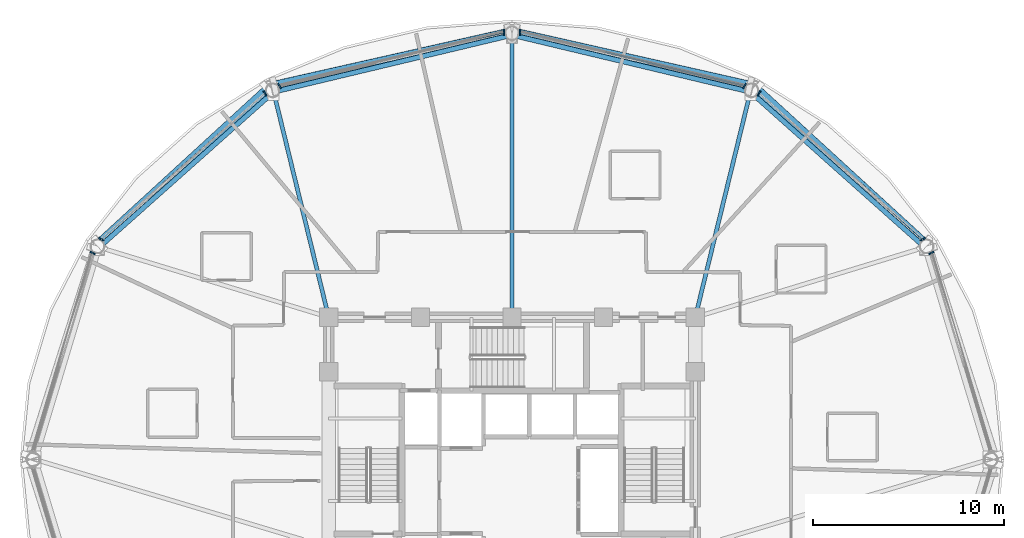
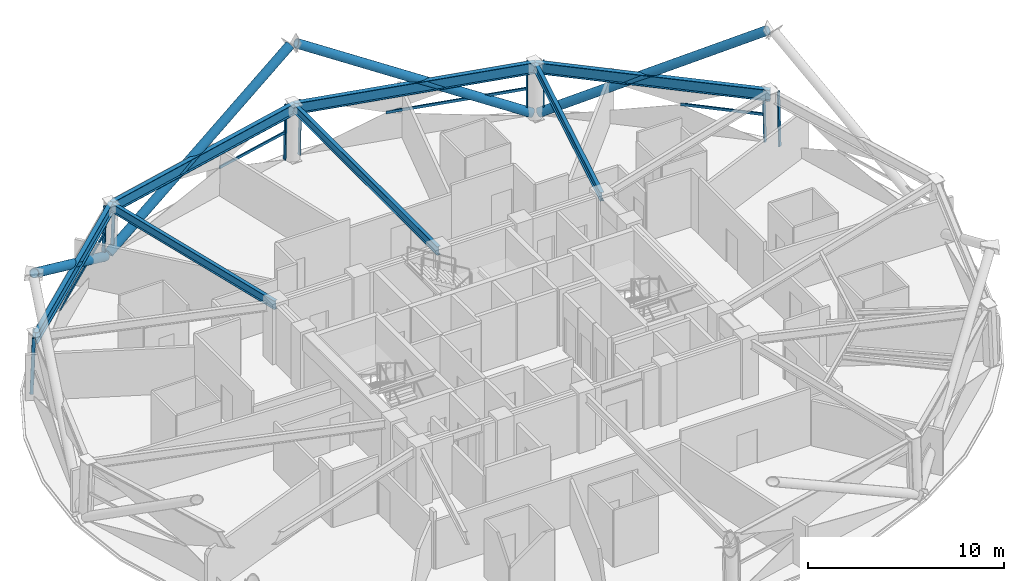
# One storey, part 5 of 15: 18 members, 7 beams, 6 elements without a shape of their own.
"""IFC4 building model written with IfcOpenShell, lengths in metres."""

from ifc_helpers import new_model, si_unit, direction, frame, origin, origin_2d, place, context, subcontext, project, spatial, hollow_rectangle, hollow_circle, i_section, extrude, material, layer, layer_set, material_profile, profile_set, type_object, element, aggregate, save


model = new_model("IFC4")

# Units and contexts
model_context = context("Model", 3, precision=1e-05, world=origin(), true_north=direction((0.0, 1.0)))
body_context = subcontext(model_context, "Body", "Model", "MODEL_VIEW")
ifc_project = project(units=[si_unit("LENGTHUNIT", "METRE"), si_unit("AREAUNIT", "SQUARE_METRE"), si_unit("VOLUMEUNIT", "CUBIC_METRE"), si_unit("PLANEANGLEUNIT", "RADIAN"), si_unit("MASSUNIT", "GRAM", prefix="KILO")], contexts=[model_context])

# Site, building, storey
site_placement = place(None, origin())
site = spatial("IfcSite", under=ifc_project, at=site_placement, CompositionType="ELEMENT")
building_placement = place(site_placement, origin())
building = spatial("IfcBuilding", under=site, at=building_placement, Name="Vantalir Tower", CompositionType="ELEMENT")
storey_placement = place(building_placement, frame((0.0, 0.0, 134.699951171875)))
storey = spatial("IfcBuildingStorey", under=building, at=storey_placement, Name="L33", CompositionType="ELEMENT", Elevation=134.699951171875)

# Beams
ifc_material_1 = material(Name="Steel S355", Category="steel")
ifc_material_profile_1 = material_profile(ifc_material_1, i_section(OverallWidth=0.2109375, OverallDepth=0.5390625, WebThickness=0.01171875, FlangeThickness=0.018798828125, at=origin_2d()), Name="Steel S355")
ifc_profile_set_1 = profile_set([ifc_material_profile_1], Name="Steel S355")
beam_type_1 = type_object("IfcBeamType", Name="BM-RB-533x210", PredefinedType="BEAM", material=ifc_profile_set_1)
beam_1_placement = place(storey_placement, frame((43.985107421875, 44.256103515625, 3.301025390625), z_axis=(-0.237380216886, -0.971416817144, 0.0), x_axis=(0.971416817144, -0.237380216886, 0.0)))
element("IfcBeam", 1, at=beam_1_placement, inside=storey, type_object=beam_type_1, Name="L33 Radial Floor Beam 03", PredefinedType="BEAM", context=body_context, shape_type="SweptSolid", body=[
    extrude(i_section(OverallWidth=0.2109375, OverallDepth=0.5390625, WebThickness=0.01171875, FlangeThickness=0.018798828125, at=origin_2d()), origin(), (0.0, 0.0, 1.0), 12.153564453125),
])
beam_2_placement = place(storey_placement, frame((31.5, 47.235107421875, 3.301025390625), z_axis=(0.0, -1.0, 0.0), x_axis=(1.0, 0.0, 0.0)))
element("IfcBeam", 2, at=beam_2_placement, inside=storey, type_object=beam_type_1, Name="L33 Radial Floor Beam 04", PredefinedType="BEAM", context=body_context, shape_type="SweptSolid", body=[
    extrude(i_section(OverallWidth=0.2109375, OverallDepth=0.5390625, WebThickness=0.01171875, FlangeThickness=0.018798828125, at=origin_2d()), origin(), (0.0, 0.0, 1.0), 14.78515625),
])
beam_3_placement = place(storey_placement, frame((19.01611328125, 44.256103515625, 3.301025390625), z_axis=(0.237285433099, -0.971439974079, 0.0), x_axis=(0.971439974079, 0.237285433099, 0.0)))
element("IfcBeam", 3, at=beam_3_placement, inside=storey, type_object=beam_type_1, Name="L33 Radial Floor Beam 05", PredefinedType="BEAM", context=body_context, shape_type="SweptSolid", body=[
    extrude(i_section(OverallWidth=0.2109375, OverallDepth=0.5390625, WebThickness=0.01171875, FlangeThickness=0.018798828125, at=origin_2d()), origin(), (0.0, 0.0, 1.0), 12.1533203125),
])
ifc_material_2 = material(Name="Steel S460", Category="steel")
ifc_material_profile_2 = material_profile(ifc_material_2, i_section(OverallWidth=0.256103515625, OverallDepth=0.693115234375, WebThickness=0.014404296875, FlangeThickness=0.023681640625, at=origin_2d()), Name="Steel S460")
ifc_profile_set_2 = profile_set([ifc_material_profile_2], Name="Steel S460")
beam_type_2 = type_object("IfcBeamType", Name="BM-RG-686x254", PredefinedType="USERDEFINED", material=ifc_profile_set_2)
beam_4_placement = place(storey_placement, frame((53.1240234375, 36.116943359375, 3.22412109375), z_axis=(-0.746772790642, 0.665079242765, 0.0), x_axis=(-0.665079242765, -0.746772790642, 0.0)))
element("IfcBeam", 4, at=beam_4_placement, inside=storey, type_object=beam_type_2, Name="L33 Circumferential Ring Girder 02", ObjectType="GIRDER", PredefinedType="USERDEFINED", context=body_context, shape_type="SweptSolid", body=[
    extrude(i_section(OverallWidth=0.256103515625, OverallDepth=0.693115234375, WebThickness=0.014404296875, FlangeThickness=0.023681640625, at=origin_2d()), origin(), (0.0, 0.0, 1.0), 12.23779296875),
])
beam_5_placement = place(storey_placement, frame((43.985107421875, 44.256103515625, 3.22412109375), z_axis=(-0.972694467918, 0.232089362278, 0.0), x_axis=(-0.232089362278, -0.972694467918, 0.0)))
element("IfcBeam", 5, at=beam_5_placement, inside=storey, type_object=beam_type_2, Name="L33 Circumferential Ring Girder 03", ObjectType="GIRDER", PredefinedType="USERDEFINED", context=body_context, shape_type="SweptSolid", body=[
    extrude(i_section(OverallWidth=0.256103515625, OverallDepth=0.693115234375, WebThickness=0.014404296875, FlangeThickness=0.023681640625, at=origin_2d()), origin(), (0.0, 0.0, 1.0), 12.835693359375),
])
beam_6_placement = place(storey_placement, frame((31.5, 47.235107421875, 3.22412109375), z_axis=(-0.972689344439, -0.232110833904, 0.0), x_axis=(0.232110833904, -0.972689344439, 0.0)))
element("IfcBeam", 6, at=beam_6_placement, inside=storey, type_object=beam_type_2, Name="L33 Circumferential Ring Girder 04", ObjectType="GIRDER", PredefinedType="USERDEFINED", context=body_context, shape_type="SweptSolid", body=[
    extrude(i_section(OverallWidth=0.256103515625, OverallDepth=0.693115234375, WebThickness=0.014404296875, FlangeThickness=0.023681640625, at=origin_2d()), origin(), (0.0, 0.0, 1.0), 12.83447265625),
])
beam_7_placement = place(storey_placement, frame((19.01611328125, 44.256103515625, 3.22412109375), z_axis=(-0.746816907251, -0.665029703882, 0.0), x_axis=(0.665029703882, -0.746816907251, 0.0)))
element("IfcBeam", 7, at=beam_7_placement, inside=storey, type_object=beam_type_2, Name="L33 Circumferential Ring Girder 05", ObjectType="GIRDER", PredefinedType="USERDEFINED", context=body_context, shape_type="SweptSolid", body=[
    extrude(i_section(OverallWidth=0.256103515625, OverallDepth=0.693115234375, WebThickness=0.014404296875, FlangeThickness=0.023681640625, at=origin_2d()), origin(), (0.0, 0.0, 1.0), 12.23876953125),
])

# Curtain wall, member
ifc_material_3 = material(Name="Champagne-silver PVDF aluminium and double-silver Low-E glass", Category="aluminium")
ifc_layer = layer(ifc_material_3, 0.199951171875)
ifc_layer_set = layer_set([ifc_layer], Name="Champagne-silver PVDF aluminium and double-silver Low-E glass")
curtain_wall_type = type_object("IfcCurtainWallType", Name="CW-DIAMOND-Z2", PredefinedType="USERDEFINED", material=ifc_layer_set)
curtain_wall_1_placement = place(storey_placement, origin())
curtain_wall_1 = element("IfcCurtainWall", 8, at=curtain_wall_1_placement, inside=storey, type_object=curtain_wall_type, Name="L33 Quilted Pyramid-Diamond Curtain Wall S01", ObjectType="UNITISED CURTAIN WALL", PredefinedType="USERDEFINED")
ifc_material_4 = material(Name="Champagne-silver PVDF aluminium 6063-T6", Category="aluminium")
ifc_material_profile_3 = material_profile(ifc_material_4, hollow_rectangle(XDim=0.074951171875, YDim=0.179931640625, WallThickness=0.00390625, at=origin_2d()), Name="Champagne-silver PVDF aluminium 6063-T6")
ifc_profile_set_3 = profile_set([ifc_material_profile_3], Name="Champagne-silver PVDF aluminium 6063-T6")
member_type_1 = type_object("IfcMemberType", Name="CWM-180x75", PredefinedType="MULLION", material=ifc_profile_set_3)
member_1_placement = place(storey_placement, frame((53.52294921875, 35.845947265625, 0.045166015625), z_axis=(-0.030990085207, -0.015775495863, 0.999395191278), x_axis=(0.453653926964, -0.891177936525, 0.0)))
member_1 = element("IfcMember", 9, at=member_1_placement, type_object=member_type_1, Name="CW-L33-S01 Mullion 2", PredefinedType="MULLION", context=body_context, shape_type="SweptSolid", body=[
    extrude(hollow_rectangle(XDim=0.074951171875, YDim=0.179931640625, WallThickness=0.00390625, at=origin_2d()), origin(), (0.0, 0.0, 1.0), 3.482177734375),
])
aggregate(curtain_wall_1, [member_1])

# Curtain wall, members
curtain_wall_2_placement = place(storey_placement, origin())
curtain_wall_2 = element("IfcCurtainWall", 10, at=curtain_wall_2_placement, inside=storey, type_object=curtain_wall_type, Name="L33 Quilted Pyramid-Diamond Curtain Wall S02", ObjectType="UNITISED CURTAIN WALL", PredefinedType="USERDEFINED")
member_2_placement = place(storey_placement, frame((53.068115234375, 36.56005859375, 0.045166015625), z_axis=(-0.031060096527, -0.015845557145, 0.999391909474), x_axis=(0.454437780728, -0.890778481693, 0.0)))
member_2 = element("IfcMember", 11, at=member_2_placement, type_object=member_type_1, Name="CW-L33-S02 Mullion 1", PredefinedType="MULLION", context=body_context, shape_type="SweptSolid", body=[
    extrude(hollow_rectangle(XDim=0.074951171875, YDim=0.179931640625, WallThickness=0.00390625, at=origin_2d()), origin(), (0.0, 0.0, 1.0), 3.482177734375),
])
member_3_placement = place(storey_placement, frame((44.469970703125, 44.222900390625, 0.045166015625), z_axis=(-0.017810101984, -0.02727610107, 0.99946926645), x_axis=(0.837310723629, -0.546727310545, 0.0)))
member_3 = element("IfcMember", 12, at=member_3_placement, type_object=member_type_1, Name="CW-L33-S02 Mullion 2", PredefinedType="MULLION", context=body_context, shape_type="SweptSolid", body=[
    extrude(hollow_rectangle(XDim=0.074951171875, YDim=0.179931640625, WallThickness=0.00390625, at=origin_2d()), origin(), (0.0, 0.0, 1.0), 3.48193359375),
])

curtain_wall_3_placement = place(storey_placement, origin())
curtain_wall_3 = element("IfcCurtainWall", 13, at=curtain_wall_3_placement, inside=storey, type_object=curtain_wall_type, Name="L33 Quilted Pyramid-Diamond Curtain Wall S03", ObjectType="UNITISED CURTAIN WALL", PredefinedType="USERDEFINED")
member_4_placement = place(storey_placement, frame((43.714111328125, 44.617919921875, 0.045166015625), z_axis=(-0.017810101984, -0.02727610107, 0.99946926645), x_axis=(0.837310723629, -0.546727310545, 0.0)))
member_4 = element("IfcMember", 14, at=member_4_placement, type_object=member_type_1, Name="CW-L33-S03 Mullion 1", PredefinedType="MULLION", context=body_context, shape_type="SweptSolid", body=[
    extrude(hollow_rectangle(XDim=0.074951171875, YDim=0.179931640625, WallThickness=0.00390625, at=origin_2d()), origin(), (0.0, 0.0, 1.0), 3.48193359375),
])
member_5_placement = place(storey_placement, frame((31.927978515625, 47.43310546875, 0.045166015625), z_axis=(0.0, -0.031624415617, 0.99949982308), x_axis=(1.0, 0.0, 0.0)))
member_5 = element("IfcMember", 15, at=member_5_placement, type_object=member_type_1, Name="CW-L33-S03 Mullion 2", PredefinedType="MULLION", context=body_context, shape_type="SweptSolid", body=[
    extrude(hollow_rectangle(XDim=0.074951171875, YDim=0.179931640625, WallThickness=0.00390625, at=origin_2d()), origin(), (0.0, 0.0, 1.0), 3.481689453125),
])

curtain_wall_4_placement = place(storey_placement, origin())
curtain_wall_4 = element("IfcCurtainWall", 16, at=curtain_wall_4_placement, inside=storey, type_object=curtain_wall_type, Name="L33 Quilted Pyramid-Diamond Curtain Wall S04", ObjectType="UNITISED CURTAIN WALL", PredefinedType="USERDEFINED")
member_6_placement = place(storey_placement, frame((31.072021484375, 47.43310546875, 0.045166015625), z_axis=(0.0, -0.031624415617, 0.99949982308), x_axis=(1.0, 0.0, 0.0)))
member_6 = element("IfcMember", 17, at=member_6_placement, type_object=member_type_1, Name="CW-L33-S04 Mullion 1", PredefinedType="MULLION", context=body_context, shape_type="SweptSolid", body=[
    extrude(hollow_rectangle(XDim=0.074951171875, YDim=0.179931640625, WallThickness=0.00390625, at=origin_2d()), origin(), (0.0, 0.0, 1.0), 3.481689453125),
])
member_7_placement = place(storey_placement, frame((19.287109375, 44.617919921875, 0.045166015625), z_axis=(0.017810101984, -0.02727610107, 0.99946926645), x_axis=(0.837310723629, 0.546727310545, 0.0)))
member_7 = element("IfcMember", 18, at=member_7_placement, type_object=member_type_1, Name="CW-L33-S04 Mullion 2", PredefinedType="MULLION", context=body_context, shape_type="SweptSolid", body=[
    extrude(hollow_rectangle(XDim=0.074951171875, YDim=0.179931640625, WallThickness=0.00390625, at=origin_2d()), origin(), (0.0, 0.0, 1.0), 3.48193359375),
])

curtain_wall_5_placement = place(storey_placement, origin())
curtain_wall_5 = element("IfcCurtainWall", 19, at=curtain_wall_5_placement, inside=storey, type_object=curtain_wall_type, Name="L33 Quilted Pyramid-Diamond Curtain Wall S05", ObjectType="UNITISED CURTAIN WALL", PredefinedType="USERDEFINED")
member_8_placement = place(storey_placement, frame((18.531005859375, 44.222900390625, 0.045166015625), z_axis=(0.017810101984, -0.02727610107, 0.99946926645), x_axis=(0.837310723629, 0.546727310545, 0.0)))
member_8 = element("IfcMember", 20, at=member_8_placement, type_object=member_type_1, Name="CW-L33-S05 Mullion 1", PredefinedType="MULLION", context=body_context, shape_type="SweptSolid", body=[
    extrude(hollow_rectangle(XDim=0.074951171875, YDim=0.179931640625, WallThickness=0.00390625, at=origin_2d()), origin(), (0.0, 0.0, 1.0), 3.48193359375),
])
member_9_placement = place(storey_placement, frame((9.931884765625, 36.56005859375, 0.045166015625), z_axis=(0.031060096527, -0.015845557145, 0.999391909474), x_axis=(0.454437780728, 0.890778481693, 0.0)))
member_9 = element("IfcMember", 21, at=member_9_placement, type_object=member_type_1, Name="CW-L33-S05 Mullion 2", PredefinedType="MULLION", context=body_context, shape_type="SweptSolid", body=[
    extrude(hollow_rectangle(XDim=0.074951171875, YDim=0.179931640625, WallThickness=0.00390625, at=origin_2d()), origin(), (0.0, 0.0, 1.0), 3.482177734375),
])

# Curtain wall, member
curtain_wall_6_placement = place(storey_placement, origin())
curtain_wall_6 = element("IfcCurtainWall", 22, at=curtain_wall_6_placement, inside=storey, type_object=curtain_wall_type, Name="L33 Quilted Pyramid-Diamond Curtain Wall S06", ObjectType="UNITISED CURTAIN WALL", PredefinedType="USERDEFINED")
member_10_placement = place(storey_placement, frame((9.47705078125, 35.845947265625, 0.045166015625), z_axis=(0.030990085207, -0.015775495863, 0.999395191278), x_axis=(0.453653926964, 0.891177936525, 0.0)))
member_10 = element("IfcMember", 23, at=member_10_placement, type_object=member_type_1, Name="CW-L33-S06 Mullion 1", PredefinedType="MULLION", context=body_context, shape_type="SweptSolid", body=[
    extrude(hollow_rectangle(XDim=0.074951171875, YDim=0.179931640625, WallThickness=0.00390625, at=origin_2d()), origin(), (0.0, 0.0, 1.0), 3.482177734375),
])
aggregate(curtain_wall_6, [member_10])

# Member
ifc_material_profile_4 = material_profile(ifc_material_4, hollow_rectangle(XDim=0.074951171875, YDim=0.159912109375, WallThickness=0.00390625, at=origin_2d()), Name="Champagne-silver PVDF aluminium 6063-T6")
ifc_profile_set_4 = profile_set([ifc_material_profile_4], Name="Champagne-silver PVDF aluminium 6063-T6")
member_type_2 = type_object("IfcMemberType", Name="CWT-160x75", PredefinedType="USERDEFINED", material=ifc_profile_set_4)
member_11_placement = place(storey_placement, frame((53.013916015625, 36.531982421875, 1.78515625), z_axis=(-0.74284586924, 0.669462481811, 0.0), x_axis=(-0.669462481811, -0.74284586924, 0.0)))
member_11 = element("IfcMember", 24, at=member_11_placement, type_object=member_type_2, Name="CW-L33-S02 Pyramid Fold Ridge Transom", ObjectType="TRANSOM", PredefinedType="USERDEFINED", context=body_context, shape_type="SweptSolid", body=[
    extrude(hollow_rectangle(XDim=0.074951171875, YDim=0.159912109375, WallThickness=0.00390625, at=origin_2d()), origin(), (0.0, 0.0, 1.0), 4.361572265625),
])

aggregate(curtain_wall_2, [member_2, member_3, member_11])

member_12_placement = place(storey_placement, frame((43.68310546875, 44.571044921875, 1.78515625), z_axis=(-0.97193210473, 0.235261522132, 0.0), x_axis=(-0.235261522132, -0.97193210473, 0.0)))
member_12 = element("IfcMember", 25, at=member_12_placement, type_object=member_type_2, Name="CW-L33-S03 Pyramid Fold Ridge Transom", ObjectType="TRANSOM", PredefinedType="USERDEFINED", context=body_context, shape_type="SweptSolid", body=[
    extrude(hollow_rectangle(XDim=0.074951171875, YDim=0.159912109375, WallThickness=0.00390625, at=origin_2d()), origin(), (0.0, 0.0, 1.0), 7.49365234375),
])

aggregate(curtain_wall_3, [member_4, member_5, member_12])

member_13_placement = place(storey_placement, frame((31.072021484375, 47.3779296875, 1.78515625), z_axis=(-0.973817283045, -0.227332134209, 0.0), x_axis=(0.227332134209, -0.973817283045, 0.0)))
member_13 = element("IfcMember", 26, at=member_13_placement, type_object=member_type_2, Name="CW-L33-S04 Pyramid Fold Ridge Transom", ObjectType="TRANSOM", PredefinedType="USERDEFINED", context=body_context, shape_type="SweptSolid", body=[
    extrude(hollow_rectangle(XDim=0.074951171875, YDim=0.159912109375, WallThickness=0.00390625, at=origin_2d()), origin(), (0.0, 0.0, 1.0), 4.592041015625),
])

aggregate(curtain_wall_4, [member_6, member_7, member_13])

member_14_placement = place(storey_placement, frame((18.56201171875, 44.176025390625, 1.78515625), z_axis=(-0.748727104744, -0.662878361859, 0.0), x_axis=(0.662878361859, -0.748727104744, 0.0)))
member_14 = element("IfcMember", 27, at=member_14_placement, type_object=member_type_2, Name="CW-L33-S05 Pyramid Fold Ridge Transom", ObjectType="TRANSOM", PredefinedType="USERDEFINED", context=body_context, shape_type="SweptSolid", body=[
    extrude(hollow_rectangle(XDim=0.074951171875, YDim=0.159912109375, WallThickness=0.00390625, at=origin_2d()), origin(), (0.0, 0.0, 1.0), 7.126708984375),
])

aggregate(curtain_wall_5, [member_8, member_9, member_14])

# Members
ifc_material_profile_5 = material_profile(ifc_material_2, hollow_circle(Radius=0.260009765625, WallThickness=0.0380859375, at=origin_2d()), Name="Steel S460")
ifc_profile_set_5 = profile_set([ifc_material_profile_5], Name="Steel S460")
member_type_3 = type_object("IfcMemberType", Name="MEM-DB-520x38", PredefinedType="BRACE", material=ifc_profile_set_5)
member_15_placement = place(storey_placement, frame((43.9541015625, 44.55810546875, 0.18603515625), z_axis=(-0.853784086425, 0.192790503174, 0.48361612427), x_axis=(-0.220261467336, -0.975440867509, 0.0)))
element("IfcMember", 28, at=member_15_placement, inside=storey, type_object=member_type_3, Name="L33 Perimeter S460 Diagrid Brace R07L", PredefinedType="BRACE", context=body_context, shape_type="SweptSolid", body=[
    extrude(hollow_circle(Radius=0.260009765625, WallThickness=0.0380859375, at=origin_2d()), origin(), (0.0, 0.0, 1.0), 14.36669921875),
])
member_16_placement = place(storey_placement, frame((44.281982421875, 44.386962890625, 0.18994140625), z_axis=(0.637671704627, -0.584129044737, 0.502163376016), x_axis=(0.675471135285, 0.737386428812, 0.0)))
element("IfcMember", 29, at=member_16_placement, inside=storey, type_object=member_type_3, Name="L33 Perimeter S460 Diagrid Brace R07R", PredefinedType="BRACE", context=body_context, shape_type="SweptSolid", body=[
    extrude(hollow_circle(Radius=0.260009765625, WallThickness=0.0380859375, at=origin_2d()), origin(), (0.0, 0.0, 1.0), 13.820556640625),
])
member_17_placement = place(storey_placement, frame((18.718994140625, 44.386962890625, 0.18994140625), z_axis=(-0.637713629692, -0.584102725418, 0.502140749855), x_axis=(0.675430438628, -0.737423706274, 0.0)))
element("IfcMember", 30, at=member_17_placement, inside=storey, type_object=member_type_3, Name="L33 Perimeter S460 Diagrid Brace R13L", PredefinedType="BRACE", context=body_context, shape_type="SweptSolid", body=[
    extrude(hollow_circle(Radius=0.260009765625, WallThickness=0.0380859375, at=origin_2d()), origin(), (0.0, 0.0, 1.0), 13.8212890625),
])
member_18_placement = place(storey_placement, frame((19.047119140625, 44.55810546875, 0.18603515625), z_axis=(0.853761053335, 0.192804489721, 0.483651209604), x_axis=(-0.22028232586, 0.975436157272, 0.0)))
element("IfcMember", 31, at=member_18_placement, inside=storey, type_object=member_type_3, Name="L33 Perimeter S460 Diagrid Brace R13R", PredefinedType="BRACE", context=body_context, shape_type="SweptSolid", body=[
    extrude(hollow_circle(Radius=0.260009765625, WallThickness=0.0380859375, at=origin_2d()), origin(), (0.0, 0.0, 1.0), 14.36572265625),
])

save(model, "model.ifc")
